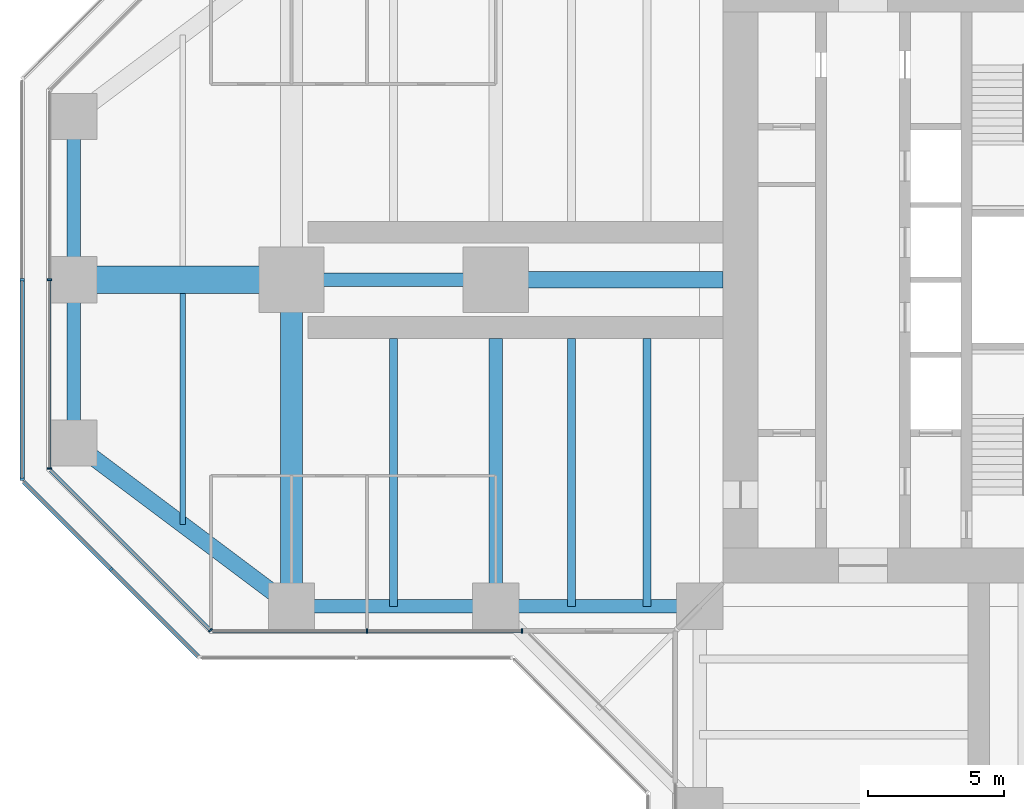
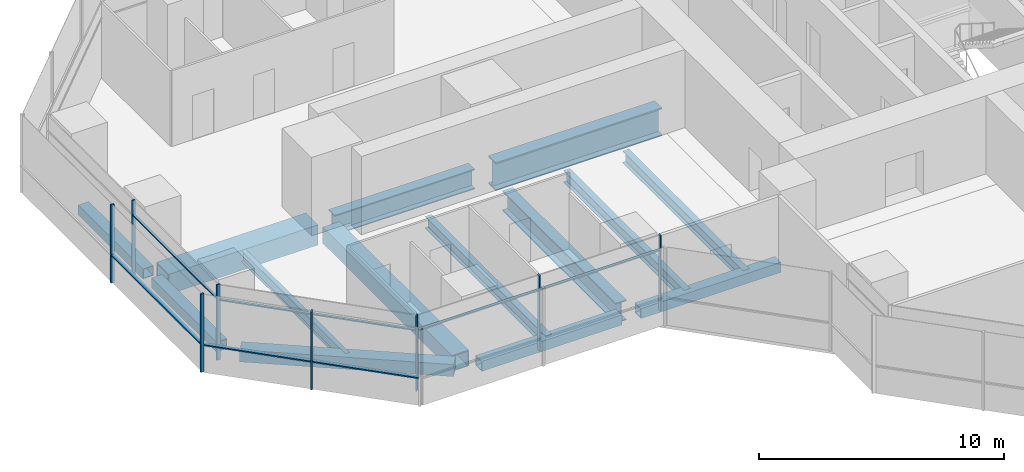
# One storey, part 3 of 20: 15 members, 14 beams, 5 elements without a shape of their own.
"""IFC4 building model written with IfcOpenShell, lengths in metres."""

from ifc_helpers import new_model, si_unit, direction, frame, origin, origin_2d, place, context, subcontext, project, spatial, rectangle, hollow_rectangle, i_section, extrude, material, material_profile, profile_set, type_object, element, aggregate, save


model = new_model("IFC4")

# Units and contexts
model_context = context("Model", 3, precision=1e-05, world=origin(), true_north=direction((0.0, 1.0)))
body_context = subcontext(model_context, "Body", "Model", "MODEL_VIEW")
ifc_project = project(units=[si_unit("LENGTHUNIT", "METRE"), si_unit("AREAUNIT", "SQUARE_METRE"), si_unit("VOLUMEUNIT", "CUBIC_METRE"), si_unit("PLANEANGLEUNIT", "RADIAN"), si_unit("MASSUNIT", "GRAM", prefix="KILO")], contexts=[model_context])

# Site, building, storey
site_placement = place(None, origin())
site = spatial("IfcSite", under=ifc_project, at=site_placement, CompositionType="ELEMENT")
building_placement = place(site_placement, origin())
building = spatial("IfcBuilding", under=site, at=building_placement, Name="Mizan Broadcast Tower", CompositionType="ELEMENT")
storey_placement = place(building_placement, frame((0.0, 0.0, 174.89990234375)))
storey = spatial("IfcBuildingStorey", under=building, at=storey_placement, Name="L40", CompositionType="ELEMENT", Elevation=174.89990234375)

# Beams
ifc_material_1 = material(Name="Steel S355", Category="steel")
ifc_material_profile_1 = material_profile(ifc_material_1, hollow_rectangle(XDim=0.5, YDim=0.5, WallThickness=0.030029296875, at=origin_2d()), Name="BOX 500x500x30")
ifc_profile_set_1 = profile_set([ifc_material_profile_1], Name="Steel S355")
beam_type_1 = type_object("IfcBeamType", Name="EDGE BEAM BOX 500x500x30", PredefinedType="SPANDREL", material=ifc_profile_set_1)
beam_1_placement = place(storey_placement, frame((-35.0, 5.639892578125, -0.3798828125), z_axis=(0.0, -1.0, 0.0), x_axis=(1.0, 0.0, 0.0)))
element("IfcBeam", 1, at=beam_1_placement, inside=storey, type_object=beam_type_1, Name="Edge beam BOX 500x500x30 L40 west arm", PredefinedType="SPANDREL", context=body_context, shape_type="SweptSolid", body=[
    extrude(hollow_rectangle(XDim=0.5, YDim=0.5, WallThickness=0.030029296875, at=origin_2d()), origin(), (0.0, 0.0, 1.0), 5.27978515625),
])
for number, where, z_axis, x_axis, name in (
    (2, (-12.449951171875, -12.0, -0.3798828125), (-1.0, 0.0, 0.0), (0.0, -1.0, 0.0), "Edge beam BOX 500x500x30 L40 west arm"),
    (3, (-19.949951171875, -12.0, -0.3798828125), (-1.0, 0.0, 0.0), (0.0, -1.0, 0.0), "Edge beam BOX 500x500x30 L40 west arm"),
):
    element("IfcBeam", number, at=place(storey_placement, frame(where, z_axis=z_axis, x_axis=x_axis)), inside=storey, type_object=beam_type_1, Name=name, PredefinedType="SPANDREL", context=body_context, shape_type="SweptSolid", body=[
        extrude(hollow_rectangle(XDim=0.5, YDim=0.5, WallThickness=0.030029296875, at=origin_2d()), origin(), (0.0, 0.0, 1.0), 6.60009765625),
    ])
beam_2_placement = place(storey_placement, frame((-35.0, -5.639892578125, -0.3798828125), z_axis=(0.0, 1.0, 0.0), x_axis=(-1.0, 0.0, 0.0)))
element("IfcBeam", 4, at=beam_2_placement, inside=storey, type_object=beam_type_1, Name="Edge beam BOX 500x500x30 L40 west arm", PredefinedType="SPANDREL", context=body_context, shape_type="SweptSolid", body=[
    extrude(hollow_rectangle(XDim=0.5, YDim=0.5, WallThickness=0.030029296875, at=origin_2d()), origin(), (0.0, 0.0, 1.0), 5.27978515625),
])
ifc_material_2 = material(Name="Steel S355", Category="steel")
ifc_material_profile_2 = material_profile(ifc_material_2, hollow_rectangle(XDim=0.60009765625, YDim=0.60009765625, WallThickness=0.030029296875, at=origin_2d()), Name="BOX 600x600x30")
ifc_profile_set_2 = profile_set([ifc_material_profile_2], Name="Steel S355")
beam_type_2 = type_object("IfcBeamType", Name="EDGE BEAM BOX 600x600x30", PredefinedType="SPANDREL", material=ifc_profile_set_2)
beam_3_placement = place(storey_placement, frame((-27.47998046875, -11.639892578125, -0.429931640625), z_axis=(-0.800013316712, 0.599982243973, 0.0), x_axis=(-0.599982243973, -0.800013316712, 0.0)))
element("IfcBeam", 5, at=beam_3_placement, inside=storey, type_object=beam_type_2, Name="Edge beam BOX 600x600x30 L40 west arm", PredefinedType="SPANDREL", context=body_context, shape_type="SweptSolid", body=[
    extrude(hollow_rectangle(XDim=0.60009765625, YDim=0.60009765625, WallThickness=0.030029296875, at=origin_2d()), origin(), (0.0, 0.0, 1.0), 8.7998046875),
])
ifc_material_3 = material(Name="Steel S460", Category="steel")
ifc_material_profile_3 = material_profile(ifc_material_3, hollow_rectangle(XDim=1.0, YDim=1.0, WallThickness=0.06005859375, at=origin_2d()), Name="BOX 1000x1000x60")
ifc_profile_set_3 = profile_set([ifc_material_profile_3], Name="Steel S460")
beam_type_3 = type_object("IfcBeamType", Name="GIRDER BOX 1000x1000x60", PredefinedType="BEAM", material=ifc_profile_set_3)
beam_4_placement = place(storey_placement, frame((-27.47998046875, 0.0, -0.6298828125), z_axis=(-1.0, 0.0, 0.0), x_axis=(0.0, -1.0, 0.0)))
element("IfcBeam", 6, at=beam_4_placement, inside=storey, type_object=beam_type_3, Name="Girder BOX 1000x1000x60 L40 west arm", PredefinedType="BEAM", context=body_context, shape_type="SweptSolid", body=[
    extrude(hollow_rectangle(XDim=1.0, YDim=1.0, WallThickness=0.06005859375, at=origin_2d()), origin(), (0.0, 0.0, 1.0), 7.0400390625),
])
ifc_material_4 = material(Name="Steel S460", Category="steel")
ifc_material_profile_4 = material_profile(ifc_material_4, hollow_rectangle(XDim=0.800048828125, YDim=0.800048828125, WallThickness=0.050048828125, at=origin_2d()), Name="BOX 800x800x50")
ifc_profile_set_4 = profile_set([ifc_material_profile_4], Name="Steel S460")
beam_type_4 = type_object("IfcBeamType", Name="GIRDER BOX 800x800x50", PredefinedType="BEAM", material=ifc_profile_set_4)
beam_5_placement = place(storey_placement, frame((-27.0, -11.280029296875, -0.52978515625), z_axis=(0.0, 1.0, 0.0), x_axis=(-1.0, 0.0, 0.0)))
element("IfcBeam", 7, at=beam_5_placement, inside=storey, type_object=beam_type_4, Name="Girder BOX 800x800x50 L40 west arm", PredefinedType="BEAM", context=body_context, shape_type="SweptSolid", body=[
    extrude(hollow_rectangle(XDim=0.800048828125, YDim=0.800048828125, WallThickness=0.050048828125, at=origin_2d()), origin(), (0.0, 0.0, 1.0), 10.56005859375),
])
ifc_material_5 = material(Name="Steel S460", Category="steel")
ifc_material_profile_5 = material_profile(ifc_material_5, i_section(OverallWidth=0.5, OverallDepth=1.0, WebThickness=0.02490234375, FlangeThickness=0.050048828125, at=origin_2d()), Name="WPG 1000x500")
ifc_profile_set_5 = profile_set([ifc_material_profile_5], Name="Steel S460")
beam_type_5 = type_object("IfcBeamType", Name="GIRDER WPG 1000x500", PredefinedType="BEAM", material=ifc_profile_set_5)
beam_6_placement = place(storey_placement, frame((-19.949951171875, 0.0, -0.6298828125), z_axis=(-1.0, 0.0, 0.0), x_axis=(0.0, -1.0, 0.0)))
element("IfcBeam", 8, at=beam_6_placement, inside=storey, type_object=beam_type_5, Name="Girder WPG 1000x500 L40 west arm", PredefinedType="BEAM", context=body_context, shape_type="SweptSolid", body=[
    extrude(i_section(OverallWidth=0.5, OverallDepth=1.0, WebThickness=0.02490234375, FlangeThickness=0.050048828125, at=origin_2d()), origin(), (0.0, 0.0, 1.0), 6.60009765625),
])
beam_7_placement = place(storey_placement, frame((-19.5, -11.408935546875, -0.6298828125), z_axis=(0.0, 1.0, 0.0), x_axis=(-1.0, 0.0, 0.0)))
element("IfcBeam", 9, at=beam_7_placement, inside=storey, type_object=beam_type_5, Name="Girder WPG 1000x500 L40 west arm", PredefinedType="BEAM", context=body_context, shape_type="SweptSolid", body=[
    extrude(i_section(OverallWidth=0.5, OverallDepth=1.0, WebThickness=0.02490234375, FlangeThickness=0.050048828125, at=origin_2d()), origin(), (0.0, 0.0, 1.0), 9.259033203125),
])
ifc_material_6 = material(Name="Steel S460", Category="steel")
ifc_material_profile_6 = material_profile(ifc_material_6, i_section(OverallWidth=0.60009765625, OverallDepth=1.39990234375, WebThickness=0.02490234375, FlangeThickness=0.06005859375, at=origin_2d()), Name="WPG 1400x600")
ifc_profile_set_6 = profile_set([ifc_material_profile_6], Name="Steel S460")
beam_type_6 = type_object("IfcBeamType", Name="GIRDER WPG 1400x600", PredefinedType="BEAM", material=ifc_profile_set_6)
beam_8_placement = place(storey_placement, frame((-11.14990234375, 0.0, -0.829833984375), z_axis=(-1.0, 0.0, 0.0), x_axis=(0.0, -1.0, 0.0)))
element("IfcBeam", 10, at=beam_8_placement, inside=storey, type_object=beam_type_6, Name="Girder WPG 1400x600 L40 west arm", PredefinedType="BEAM", context=body_context, shape_type="SweptSolid", body=[
    extrude(i_section(OverallWidth=0.60009765625, OverallDepth=1.39990234375, WebThickness=0.02490234375, FlangeThickness=0.06005859375, at=origin_2d()), origin(), (0.0, 0.0, 1.0), 7.84912109375),
])

# Curtain wall, members
ifc_material_7 = material(Name="Aluminium framed glazing", Category="aluminium")
curtain_wall_type_1 = type_object("IfcCurtainWallType", Name="INNER SKIN MID ZONE", PredefinedType="USERDEFINED", material=ifc_material_7)
curtain_wall_1_placement = place(storey_placement, origin())
curtain_wall_1 = element("IfcCurtainWall", 11, at=curtain_wall_1_placement, inside=storey, type_object=curtain_wall_type_1, Name="Inner skin mid zone L40 W end", ObjectType="INNER SKIN MID ZONE", PredefinedType="USERDEFINED")
ifc_material_8 = material(Name="Aluminium, pale anodised", Category="aluminium")
ifc_material_profile_7 = material_profile(ifc_material_8, rectangle(XDim=0.159912109375, YDim=0.06005859375, at=origin_2d()), Name="MULLION 160x60")
ifc_profile_set_7 = profile_set([ifc_material_profile_7], Name="Aluminium, pale anodised")
member_type_1 = type_object("IfcMemberType", Name="INNER SKIN MULLION 60x160", PredefinedType="MULLION", material=ifc_profile_set_7)
member_1_placement = place(storey_placement, frame((-35.89990234375, 0.0, 0.0), z_axis=(0.0, 0.0, 1.0), x_axis=(1.0, 0.0, 0.0)))
member_1 = element("IfcMember", 12, at=member_1_placement, type_object=member_type_1, Name="Inner skin mid zone L40 W end mullion 2", PredefinedType="MULLION", context=body_context, shape_type="SweptSolid", body=[
    extrude(rectangle(XDim=0.159912109375, YDim=0.06005859375, at=origin_2d()), origin(), (0.0, 0.0, 1.0), 3.77001953125),
])
member_2_placement = place(storey_placement, frame((-35.89990234375, -6.928466796875, 0.0), z_axis=(0.0, 0.0, 1.0), x_axis=(1.0, 0.0, 0.0)))
member_2 = element("IfcMember", 13, at=member_2_placement, type_object=member_type_1, Name="Inner skin mid zone L40 W end mullion 3", PredefinedType="MULLION", context=body_context, shape_type="SweptSolid", body=[
    extrude(rectangle(XDim=0.159912109375, YDim=0.06005859375, at=origin_2d()), origin(), (0.0, 0.0, 1.0), 3.77001953125),
])

# Curtain wall, member
curtain_wall_2_placement = place(storey_placement, origin())
curtain_wall_2 = element("IfcCurtainWall", 14, at=curtain_wall_2_placement, inside=storey, type_object=curtain_wall_type_1, Name="Inner skin mid zone L40 W chamfer", ObjectType="INNER SKIN MID ZONE", PredefinedType="USERDEFINED")
member_3_placement = place(storey_placement, frame((-29.979736328125, -12.87890625, 0.0), z_axis=(0.0, 0.0, 1.0), x_axis=(0.707106781187, 0.707106781187, 0.0)))
member_3 = element("IfcMember", 15, at=member_3_placement, type_object=member_type_1, Name="Inner skin mid zone L40 W chamfer mullion 2", PredefinedType="MULLION", context=body_context, shape_type="SweptSolid", body=[
    extrude(rectangle(XDim=0.159912109375, YDim=0.06005859375, at=origin_2d()), origin(), (0.0, 0.0, 1.0), 3.77001953125),
])

# Curtain wall, members
curtain_wall_3_placement = place(storey_placement, origin())
curtain_wall_3 = element("IfcCurtainWall", 16, at=curtain_wall_3_placement, inside=storey, type_object=curtain_wall_type_1, Name="Inner skin mid zone L40 W side", ObjectType="INNER SKIN MID ZONE", PredefinedType="USERDEFINED")
member_4_placement = place(storey_placement, frame((-24.229248046875, -12.89990234375, 0.0), z_axis=(0.0, 0.0, 1.0), x_axis=(0.0, 1.0, 0.0)))
member_4 = element("IfcMember", 17, at=member_4_placement, type_object=member_type_1, Name="Inner skin mid zone L40 W side mullion 2", PredefinedType="MULLION", context=body_context, shape_type="SweptSolid", body=[
    extrude(rectangle(XDim=0.159912109375, YDim=0.06005859375, at=origin_2d()), origin(), (0.0, 0.0, 1.0), 3.77001953125),
])
member_5_placement = place(storey_placement, frame((-18.530029296875, -12.89990234375, 0.0), z_axis=(0.0, 0.0, 1.0), x_axis=(0.0, 1.0, 0.0)))
member_5 = element("IfcMember", 18, at=member_5_placement, type_object=member_type_1, Name="Inner skin mid zone L40 W side mullion 3", PredefinedType="MULLION", context=body_context, shape_type="SweptSolid", body=[
    extrude(rectangle(XDim=0.159912109375, YDim=0.06005859375, at=origin_2d()), origin(), (0.0, 0.0, 1.0), 3.77001953125),
])

# Member
ifc_material_9 = material(Name="Aluminium, pale anodised", Category="aluminium")
ifc_material_profile_8 = material_profile(ifc_material_9, rectangle(XDim=0.1201171875, YDim=0.06005859375, at=origin_2d()), Name="TRANSOM 120x60")
ifc_profile_set_8 = profile_set([ifc_material_profile_8], Name="Aluminium, pale anodised")
member_type_2 = type_object("IfcMemberType", Name="INNER SKIN TRANSOM 60x120", PredefinedType="USERDEFINED", material=ifc_profile_set_8)
member_6_placement = place(storey_placement, frame((-35.89990234375, -0.030029296875, 3.030029296875), z_axis=(0.0, -1.0, 0.0), x_axis=(1.0, 0.0, 0.0)))
member_6 = element("IfcMember", 19, at=member_6_placement, type_object=member_type_2, Name="Inner skin mid zone L40 W end transom 2.1", ObjectType="TRANSOM", PredefinedType="USERDEFINED", context=body_context, shape_type="SweptSolid", body=[
    extrude(rectangle(XDim=0.1201171875, YDim=0.06005859375, at=origin_2d()), origin(), (0.0, 0.0, 1.0), 6.86865234375),
])

aggregate(curtain_wall_1, [member_1, member_2, member_6])

member_7_placement = place(storey_placement, frame((-35.857666015625, -7.0009765625, 3.030029296875), z_axis=(0.707106781187, -0.707106781187, 0.0), x_axis=(0.707106781187, 0.707106781187, 0.0)))
member_7 = element("IfcMember", 20, at=member_7_placement, type_object=member_type_2, Name="Inner skin mid zone L40 W chamfer transom 1.1", ObjectType="TRANSOM", PredefinedType="USERDEFINED", context=body_context, shape_type="SweptSolid", body=[
    extrude(rectangle(XDim=0.1201171875, YDim=0.06005859375, at=origin_2d()), origin(), (0.0, 0.0, 1.0), 8.28271484375),
])

aggregate(curtain_wall_2, [member_3, member_7])

member_8_placement = place(storey_placement, frame((-29.898681640625, -12.89990234375, 3.030029296875), z_axis=(1.0, 0.0, 0.0), x_axis=(0.0, 1.0, 0.0)))
member_8 = element("IfcMember", 21, at=member_8_placement, type_object=member_type_2, Name="Inner skin mid zone L40 W side transom 1.1", ObjectType="TRANSOM", PredefinedType="USERDEFINED", context=body_context, shape_type="SweptSolid", body=[
    extrude(rectangle(XDim=0.1201171875, YDim=0.06005859375, at=origin_2d()), origin(), (0.0, 0.0, 1.0), 5.639404296875),
])

member_9_placement = place(storey_placement, frame((-24.19921875, -12.89990234375, 3.030029296875), z_axis=(1.0, 0.0, 0.0), x_axis=(0.0, 1.0, 0.0)))
member_9 = element("IfcMember", 22, at=member_9_placement, type_object=member_type_2, Name="Inner skin mid zone L40 W side transom 2.1", ObjectType="TRANSOM", PredefinedType="USERDEFINED", context=body_context, shape_type="SweptSolid", body=[
    extrude(rectangle(XDim=0.1201171875, YDim=0.06005859375, at=origin_2d()), origin(), (0.0, 0.0, 1.0), 5.63916015625),
])

aggregate(curtain_wall_3, [member_4, member_5, member_8, member_9])

# Curtain wall, members
ifc_material_10 = material(Name="Aluminium framed glazing", Category="aluminium")
curtain_wall_type_2 = type_object("IfcCurtainWallType", Name="OUTER SKIN", PredefinedType="USERDEFINED", material=ifc_material_10)
curtain_wall_4_placement = place(storey_placement, origin())
curtain_wall_4 = element("IfcCurtainWall", 23, at=curtain_wall_4_placement, inside=storey, type_object=curtain_wall_type_2, Name="Outer skin L40 W end", ObjectType="OUTER SKIN", PredefinedType="USERDEFINED")
ifc_material_11 = material(Name="Aluminium, pale anodised", Category="aluminium")
ifc_material_profile_9 = material_profile(ifc_material_11, rectangle(XDim=0.159912109375, YDim=0.080078125, at=origin_2d()), Name="MULLION 160x80")
ifc_profile_set_9 = profile_set([ifc_material_profile_9], Name="Aluminium, pale anodised")
member_type_3 = type_object("IfcMemberType", Name="OUTER SKIN MULLION 80x160", PredefinedType="MULLION", material=ifc_profile_set_9)
member_10_placement = place(storey_placement, frame((-36.89990234375, 0.0, 0.0), z_axis=(0.0, 0.0, 1.0), x_axis=(1.0, 0.0, 0.0)))
member_10 = element("IfcMember", 24, at=member_10_placement, type_object=member_type_3, Name="Outer skin L40 W end mullion 2", PredefinedType="MULLION", context=body_context, shape_type="SweptSolid", body=[
    extrude(rectangle(XDim=0.159912109375, YDim=0.080078125, at=origin_2d()), origin(), (0.0, 0.0, 1.0), 3.900146484375),
])
member_11_placement = place(storey_placement, frame((-36.89990234375, -7.332763671875, 0.0), z_axis=(0.0, 0.0, 1.0), x_axis=(1.0, 0.0, 0.0)))
member_11 = element("IfcMember", 25, at=member_11_placement, type_object=member_type_3, Name="Outer skin L40 W end mullion 3", PredefinedType="MULLION", context=body_context, shape_type="SweptSolid", body=[
    extrude(rectangle(XDim=0.159912109375, YDim=0.080078125, at=origin_2d()), origin(), (0.0, 0.0, 1.0), 3.900146484375),
])

# Curtain wall, member
curtain_wall_5_placement = place(storey_placement, origin())
curtain_wall_5 = element("IfcCurtainWall", 26, at=curtain_wall_5_placement, inside=storey, type_object=curtain_wall_type_2, Name="Outer skin L40 W chamfer", ObjectType="OUTER SKIN", PredefinedType="USERDEFINED")
member_12_placement = place(storey_placement, frame((-33.636474609375, -10.636474609375, 0.0), z_axis=(0.0, 0.0, 1.0), x_axis=(0.707106781187, 0.707106781187, 0.0)))
member_12 = element("IfcMember", 27, at=member_12_placement, type_object=member_type_3, Name="Outer skin L40 W chamfer mullion 2", PredefinedType="MULLION", context=body_context, shape_type="SweptSolid", body=[
    extrude(rectangle(XDim=0.159912109375, YDim=0.080078125, at=origin_2d()), origin(), (0.0, 0.0, 1.0), 3.900146484375),
])

# Member
ifc_material_12 = material(Name="Aluminium, pale anodised", Category="aluminium")
ifc_material_profile_10 = material_profile(ifc_material_12, rectangle(XDim=0.159912109375, YDim=0.06005859375, at=origin_2d()), Name="TRANSOM 160x60")
ifc_profile_set_10 = profile_set([ifc_material_profile_10], Name="Aluminium, pale anodised")
member_type_4 = type_object("IfcMemberType", Name="OUTER SKIN TRANSOM 60x160", PredefinedType="USERDEFINED", material=ifc_profile_set_10)
member_13_placement = place(storey_placement, frame((-36.89990234375, -0.0400390625, 1.400146484375), z_axis=(0.0, -1.0, 0.0), x_axis=(1.0, 0.0, 0.0)))
member_13 = element("IfcMember", 28, at=member_13_placement, type_object=member_type_4, Name="Outer skin L40 W end transom 2.1", ObjectType="TRANSOM", PredefinedType="USERDEFINED", context=body_context, shape_type="SweptSolid", body=[
    extrude(rectangle(XDim=0.159912109375, YDim=0.06005859375, at=origin_2d()), origin(), (0.0, 0.0, 1.0), 7.252685546875),
])

aggregate(curtain_wall_4, [member_10, member_11, member_13])

member_14_placement = place(storey_placement, frame((-36.843505859375, -7.429443359375, 1.400146484375), z_axis=(0.707106781187, -0.707106781187, 0.0), x_axis=(0.707106781187, 0.707106781187, 0.0)))
member_14 = element("IfcMember", 29, at=member_14_placement, type_object=member_type_4, Name="Outer skin L40 W chamfer transom 1.1", ObjectType="TRANSOM", PredefinedType="USERDEFINED", context=body_context, shape_type="SweptSolid", body=[
    extrude(rectangle(XDim=0.159912109375, YDim=0.06005859375, at=origin_2d()), origin(), (0.0, 0.0, 1.0), 4.495361328125),
])

member_15_placement = place(storey_placement, frame((-33.608154296875, -10.664794921875, 1.400146484375), z_axis=(0.707106781187, -0.707106781187, 0.0), x_axis=(0.707106781187, 0.707106781187, 0.0)))
member_15 = element("IfcMember", 30, at=member_15_placement, type_object=member_type_4, Name="Outer skin L40 W chamfer transom 2.1", ObjectType="TRANSOM", PredefinedType="USERDEFINED", context=body_context, shape_type="SweptSolid", body=[
    extrude(rectangle(XDim=0.159912109375, YDim=0.06005859375, at=origin_2d()), origin(), (0.0, 0.0, 1.0), 4.495361328125),
])

aggregate(curtain_wall_5, [member_12, member_14, member_15])

# Beams
ifc_material_13 = material(Name="Steel S355", Category="steel")
ifc_material_profile_11 = material_profile(ifc_material_13, i_section(OverallWidth=0.300048828125, OverallDepth=0.590087890625, WebThickness=0.012939453125, FlangeThickness=0.02490234375, FilletRadius=0.027099609375, at=origin_2d()), Name="HEA 600")
ifc_profile_set_11 = profile_set([ifc_material_profile_11], Name="Steel S355")
beam_type_7 = type_object("IfcBeamType", Name="SECONDARY BEAM HEA 600", PredefinedType="JOIST", material=ifc_profile_set_11)
for number, where, z_axis, x_axis, name in (
    (31, (-13.933349609375, -12.0, -0.4248046875), (0.0, 1.0, 0.0), (-1.0, 0.0, 0.0), "Secondary beam HEA 600 L40 west arm"),
    (32, (-16.716552734375, -12.0, -0.4248046875), (0.0, 1.0, 0.0), (-1.0, 0.0, 0.0), "Secondary beam HEA 600 L40 west arm"),
    (33, (-23.25, -12.0, -0.4248046875), (0.0, 1.0, 0.0), (-1.0, 0.0, 0.0), "Secondary beam HEA 600 L40 west arm"),
):
    element("IfcBeam", number, at=place(storey_placement, frame(where, z_axis=z_axis, x_axis=x_axis)), inside=storey, type_object=beam_type_7, Name=name, PredefinedType="JOIST", context=body_context, shape_type="SweptSolid", body=[
        extrude(i_section(OverallWidth=0.300048828125, OverallDepth=0.590087890625, WebThickness=0.012939453125, FlangeThickness=0.02490234375, FilletRadius=0.027099609375, at=origin_2d()), origin(), (0.0, 0.0, 1.0), 9.85009765625),
    ])
ifc_material_14 = material(Name="Steel S355", Category="steel")
ifc_material_profile_12 = material_profile(ifc_material_14, i_section(OverallWidth=0.2099609375, OverallDepth=0.550048828125, WebThickness=0.010986328125, FlangeThickness=0.01708984375, FilletRadius=0.02392578125, at=origin_2d()), Name="IPE 550")
ifc_profile_set_12 = profile_set([ifc_material_profile_12], Name="Steel S355")
beam_type_8 = type_object("IfcBeamType", Name="SECONDARY BEAM IPE 550", PredefinedType="JOIST", material=ifc_profile_set_12)
beam_9_placement = place(storey_placement, frame((-31.0, -9.0, -0.40478515625), z_axis=(0.0, 1.0, 0.0), x_axis=(-1.0, 0.0, 0.0)))
element("IfcBeam", 34, at=beam_9_placement, inside=storey, type_object=beam_type_8, Name="Secondary beam IPE 550 L40 west arm", PredefinedType="JOIST", context=body_context, shape_type="SweptSolid", body=[
    extrude(i_section(OverallWidth=0.2099609375, OverallDepth=0.550048828125, WebThickness=0.010986328125, FlangeThickness=0.01708984375, FilletRadius=0.02392578125, at=origin_2d()), origin(), (0.0, 0.0, 1.0), 8.5),
])

save(model, "model.ifc")
